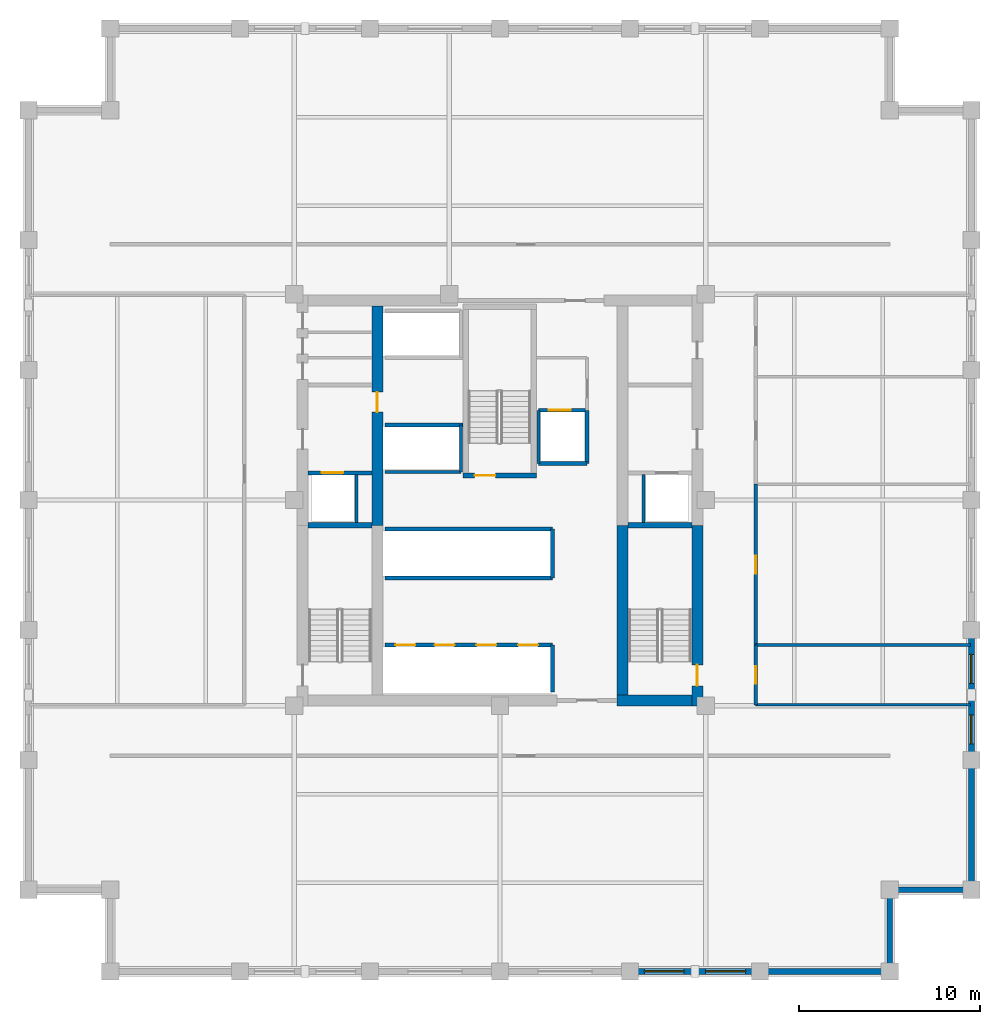
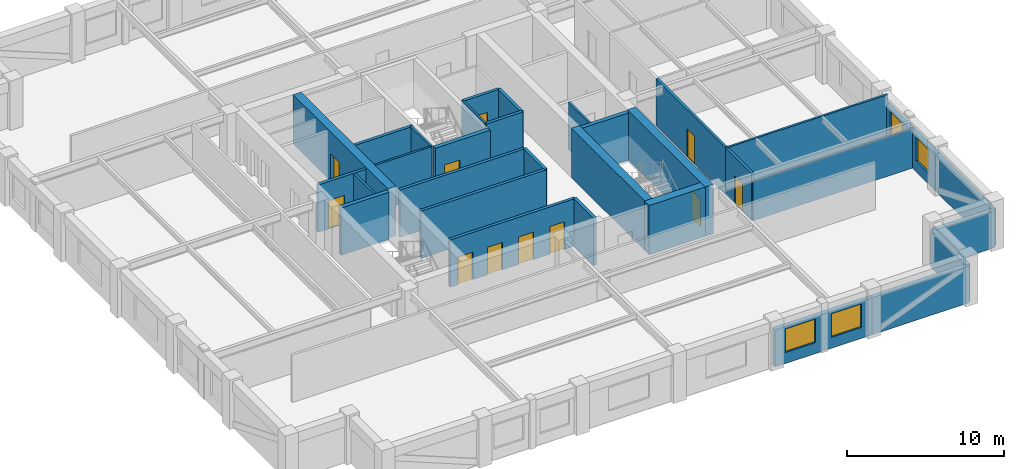
# One storey, part 3 of 6: 32 walls, 11 doors, 4 windows, 15 openings.
"""IFC4 building model written with IfcOpenShell, lengths in metres."""

from ifc_helpers import new_model, si_unit, direction, frame, frame_2d, origin, place, context, subcontext, project, spatial, rectangle, extrude, material, layer, layer_set, type_object, element, fill, save


model = new_model("IFC4")

# Units and contexts
model_context = context("Model", 3, precision=1e-05, world=origin(), true_north=direction((0.0, 1.0)))
body_context = subcontext(model_context, "Body", "Model", "MODEL_VIEW")
ifc_project = project(units=[si_unit("LENGTHUNIT", "METRE"), si_unit("AREAUNIT", "SQUARE_METRE"), si_unit("VOLUMEUNIT", "CUBIC_METRE"), si_unit("PLANEANGLEUNIT", "RADIAN"), si_unit("MASSUNIT", "GRAM", prefix="KILO")], contexts=[model_context])

# Site, building, storey
site_placement = place(None, origin())
site = spatial("IfcSite", under=ifc_project, at=site_placement, CompositionType="ELEMENT")
building_placement = place(site_placement, origin())
building = spatial("IfcBuilding", under=site, at=building_placement, Name="Nhamokura Convention Tower", CompositionType="ELEMENT")
storey_placement = place(building_placement, frame((0.0, 0.0, 145.25)))
storey = spatial("IfcBuildingStorey", under=building, at=storey_placement, Name="L35", CompositionType="ELEMENT", Elevation=145.25)

# Wall, openings, windows
ifc_material_1 = material(Name="Bronze-pigmented precast concrete C45/55", Category="concrete")
ifc_layer_1 = layer(ifc_material_1, 0.320068359375)
ifc_layer_set_1 = layer_set([ifc_layer_1], Name="BronzePrecastSpandrel_320")
wall_type_1 = type_object("IfcWallType", Name="BronzePrecastSpandrel_320", PredefinedType="USERDEFINED", material=ifc_layer_set_1)
wall_1_placement = place(storey_placement, frame((46.333251953125, 6.0, 0.0), z_axis=(0.0, 0.0, 1.0), x_axis=(-1.0, 0.0, 0.0)))
wall_1 = element("IfcWall", 1, at=wall_1_placement, inside=storey, type_object=wall_type_1, Name="L35 Masonry-Frame Wall SOUTH 4", ObjectType="SPANDREL_WALL", PredefinedType="USERDEFINED", context=body_context, shape_type="SweptSolid", body=[
    extrude(rectangle(XDim=7.16650390625, YDim=0.320068359375, at=frame_2d((3.583251953125, 0.0))), origin(), (0.0, 0.0, 1.0), 2.885009765625),
])
opening_1_placement = place(wall_1_placement, frame((0.791748046875, 0.0, 0.85009765625)))
opening_1 = element("IfcOpeningElement", 2, at=opening_1_placement, cuts=wall_1, Name="Opening W-06", PredefinedType="OPENING", context=body_context, shape_type="SweptSolid", body=[
    extrude(rectangle(XDim=2.199951171875, YDim=1.8349609375, at=frame_2d((1.10009765625, 0.91748046875))), frame((0.0, 0.169921875, 0.0), z_axis=(0.0, -1.0, 0.0), x_axis=(1.0, 0.0, 0.0)), (0.0, 0.0, 1.0), 0.340087890625),
])
opening_2_placement = place(wall_1_placement, frame((4.175048828125, 0.0, 0.85009765625)))
opening_2 = element("IfcOpeningElement", 3, at=opening_2_placement, cuts=wall_1, Name="Opening W-06", PredefinedType="OPENING", context=body_context, shape_type="SweptSolid", body=[
    extrude(rectangle(XDim=2.199951171875, YDim=1.8349609375, at=frame_2d((1.10009765625, 0.91748046875))), frame((0.0, 0.169921875, 0.0), z_axis=(0.0, -1.0, 0.0), x_axis=(1.0, 0.0, 0.0)), (0.0, 0.0, 1.0), 0.340087890625),
])
ifc_material_2 = material(Name="Solar-control bronze low-E double glass", Category="glass")
window_type_1 = type_object("IfcWindowType", Name="OfficeModuleWindow_Z2_2200", PartitioningType="SINGLE_PANEL", PredefinedType="WINDOW", material=ifc_material_2)
window_1_placement = place(opening_1_placement, origin())
window_1 = element("IfcWindow", 4, at=window_1_placement, inside=storey, type_object=window_type_1, Name="L35 Facade Window SOUTH 4-1", OverallHeight=1.8349609375, OverallWidth=2.199951171875, PartitioningType="SINGLE_PANEL", PredefinedType="WINDOW", context=body_context, shape_type="SweptSolid", body=[
    extrude(rectangle(XDim=2.199951171875, YDim=1.8349609375, at=frame_2d((1.10009765625, 0.91748046875))), frame((0.0, 0.030029296875, 0.0), z_axis=(0.0, -1.0, 0.0), x_axis=(1.0, 0.0, 0.0)), (0.0, 0.0, 1.0), 0.06005859375),
])
fill(opening_1, window_1)
window_2_placement = place(opening_2_placement, origin())
window_2 = element("IfcWindow", 5, at=window_2_placement, inside=storey, type_object=window_type_1, Name="L35 Facade Window SOUTH 4-2", OverallHeight=1.8349609375, OverallWidth=2.199951171875, PartitioningType="SINGLE_PANEL", PredefinedType="WINDOW", context=body_context, shape_type="SweptSolid", body=[
    extrude(rectangle(XDim=2.199951171875, YDim=1.8349609375, at=frame_2d((1.10009765625, 0.91748046875))), frame((0.0, 0.030029296875, 0.0), z_axis=(0.0, -1.0, 0.0), x_axis=(1.0, 0.0, 0.0)), (0.0, 0.0, 1.0), 0.06005859375),
])
fill(opening_2, window_2)

# Walls
for number, where, z_axis, x_axis, name in (
    (6, (53.5, 6.0, 0.0), (0.0, 0.0, 1.0), (-1.0, 0.0, 0.0), "L35 Braced-Bay Precast Wall SOUTH 5"),
    (7, (58.0, 17.666748046875, 0.0), (0.0, 0.0, 1.0), (0.0, -1.0, 0.0), "L35 Braced-Bay Precast Wall EAST 0"),
):
    element("IfcWall", number, at=place(storey_placement, frame(where, z_axis=z_axis, x_axis=x_axis)), inside=storey, type_object=wall_type_1, Name=name, ObjectType="SPANDREL_WALL", PredefinedType="USERDEFINED", context=body_context, shape_type="SweptSolid", body=[
        extrude(rectangle(XDim=7.166748046875, YDim=0.320068359375, at=frame_2d((3.58349609375, 0.0))), origin(), (0.0, 0.0, 1.0), 2.885009765625),
    ])

# Wall, openings, windows
wall_2_placement = place(storey_placement, frame((58.0, 24.833251953125, 0.0), z_axis=(0.0, 0.0, 1.0), x_axis=(0.0, -1.0, 0.0)))
wall_2 = element("IfcWall", 8, at=wall_2_placement, inside=storey, type_object=wall_type_1, Name="L35 Masonry-Frame Wall EAST 1", ObjectType="SPANDREL_WALL", PredefinedType="USERDEFINED", context=body_context, shape_type="SweptSolid", body=[
    extrude(rectangle(XDim=7.16650390625, YDim=0.320068359375, at=frame_2d((3.583251953125, 0.0))), origin(), (0.0, 0.0, 1.0), 2.885009765625),
])
opening_3_placement = place(wall_2_placement, frame((1.341796875, 0.0, 0.85009765625)))
opening_3 = element("IfcOpeningElement", 9, at=opening_3_placement, cuts=wall_2, Name="Opening W-11", PredefinedType="OPENING", context=body_context, shape_type="SweptSolid", body=[
    extrude(rectangle(XDim=1.60009765625, YDim=1.8349609375, at=frame_2d((0.800048828125, 0.91748046875))), frame((0.0, 0.169921875, 0.0), z_axis=(0.0, -1.0, 0.0), x_axis=(1.0, 0.0, 0.0)), (0.0, 0.0, 1.0), 0.340087890625),
])
opening_4_placement = place(wall_2_placement, frame((4.6875, 0.0, 0.85009765625)))
opening_4 = element("IfcOpeningElement", 10, at=opening_4_placement, cuts=wall_2, Name="Opening W-11", PredefinedType="OPENING", context=body_context, shape_type="SweptSolid", body=[
    extrude(rectangle(XDim=1.60009765625, YDim=1.8349609375, at=frame_2d((0.800048828125, 0.91748046875))), frame((0.0, 0.169921875, 0.0), z_axis=(0.0, -1.0, 0.0), x_axis=(1.0, 0.0, 0.0)), (0.0, 0.0, 1.0), 0.340087890625),
])
ifc_material_3 = material(Name="Solar-control bronze low-E double glass", Category="glass")
window_type_2 = type_object("IfcWindowType", Name="NotchCornerWindow_1600", PartitioningType="SINGLE_PANEL", PredefinedType="WINDOW", material=ifc_material_3)
window_3_placement = place(opening_3_placement, origin())
window_3 = element("IfcWindow", 11, at=window_3_placement, inside=storey, type_object=window_type_2, Name="L35 Facade Window EAST 1-1", OverallHeight=1.8349609375, OverallWidth=1.60009765625, PartitioningType="SINGLE_PANEL", PredefinedType="WINDOW", context=body_context, shape_type="SweptSolid", body=[
    extrude(rectangle(XDim=1.60009765625, YDim=1.8349609375, at=frame_2d((0.800048828125, 0.91748046875))), frame((0.0, 0.030029296875, 0.0), z_axis=(0.0, -1.0, 0.0), x_axis=(1.0, 0.0, 0.0)), (0.0, 0.0, 1.0), 0.06005859375),
])
fill(opening_3, window_3)
window_4_placement = place(opening_4_placement, origin())
window_4 = element("IfcWindow", 12, at=window_4_placement, inside=storey, type_object=window_type_2, Name="L35 Facade Window EAST 1-2", OverallHeight=1.8349609375, OverallWidth=1.60009765625, PartitioningType="SINGLE_PANEL", PredefinedType="WINDOW", context=body_context, shape_type="SweptSolid", body=[
    extrude(rectangle(XDim=1.60009765625, YDim=1.8349609375, at=frame_2d((0.800048828125, 0.91748046875))), frame((0.0, 0.030029296875, 0.0), z_axis=(0.0, -1.0, 0.0), x_axis=(1.0, 0.0, 0.0)), (0.0, 0.0, 1.0), 0.06005859375),
])
fill(opening_4, window_4)

# Walls
for number, where, z_axis, x_axis, name in (
    (13, (53.5, 10.5, 0.0), (0.0, 0.0, 1.0), (0.0, -1.0, 0.0), "L35 Notched Corner Wall SE1"),
    (14, (58.0, 10.5, 0.0), (0.0, 0.0, 1.0), (-1.0, 0.0, 0.0), "L35 Notched Corner Wall SE2"),
):
    element("IfcWall", number, at=place(storey_placement, frame(where, z_axis=z_axis, x_axis=x_axis)), inside=storey, type_object=wall_type_1, Name=name, ObjectType="SPANDREL_WALL", PredefinedType="USERDEFINED", context=body_context, shape_type="SweptSolid", body=[
        extrude(rectangle(XDim=4.5, YDim=0.320068359375, at=frame_2d((2.25, 0.0))), origin(), (0.0, 0.0, 1.0), 2.885009765625),
    ])

# Wall, opening, door
ifc_material_4 = material(Name="Concrete C60/75", Category="concrete")
ifc_layer_2 = layer(ifc_material_4, 0.60009765625)
ifc_layer_set_2 = layer_set([ifc_layer_2], Name="CoreShearWall_600")
wall_type_2 = type_object("IfcWallType", Name="CoreShearWall_600", PredefinedType="SHEAR", material=ifc_layer_set_2)
wall_3_placement = place(storey_placement, frame((42.889892578125, 20.64990234375, 0.0), z_axis=(0.0, 0.0, 1.0), x_axis=(0.0, 1.0, 0.0)))
wall_3 = element("IfcWall", 15, at=wall_3_placement, inside=storey, type_object=wall_type_2, Name="L35 Core Shear Wall CW-ES", PredefinedType="SHEAR", context=body_context, shape_type="SweptSolid", body=[
    extrude(rectangle(XDim=9.9501953125, YDim=0.60009765625, at=frame_2d((4.97509765625, 0.0))), origin(), (0.0, 0.0, 1.0), 3.85009765625),
])
opening_5_placement = place(wall_3_placement, frame((1.10009765625, 0.0, 0.0)))
opening_5 = element("IfcOpeningElement", 16, at=opening_5_placement, cuts=wall_3, Name="Opening D-04", PredefinedType="OPENING", context=body_context, shape_type="SweptSolid", body=[
    extrude(rectangle(XDim=1.14990234375, YDim=2.14990234375, at=frame_2d((0.574951171875, 1.074951171875))), frame((0.0, 0.31005859375, 0.0), z_axis=(0.0, -1.0, 0.0), x_axis=(1.0, 0.0, 0.0)), (0.0, 0.0, 1.0), 0.6201171875),
])
ifc_material_5 = material(Name="Fire-rated steel door", Category="steel")
door_type_1 = type_object("IfcDoorType", Name="StairSmokeDoor_1150", OperationType="NOTDEFINED", PredefinedType="DOOR", material=ifc_material_5)
door_1_placement = place(opening_5_placement, origin())
door_1 = element("IfcDoor", 17, at=door_1_placement, inside=storey, type_object=door_type_1, Name="L35 Core Door INT-L35-D-ST02", OperationType="SINGLE_SWING_RIGHT", OverallHeight=2.14990234375, OverallWidth=1.14990234375, PredefinedType="DOOR", context=body_context, shape_type="SweptSolid", body=[
    extrude(rectangle(XDim=1.14990234375, YDim=2.14990234375, at=frame_2d((0.574951171875, 1.074951171875))), frame((0.0, 0.02490234375, 0.0), z_axis=(0.0, -1.0, 0.0), x_axis=(1.0, 0.0, 0.0)), (0.0, 0.0, 1.0), 0.050048828125),
])
fill(opening_5, door_1)

# Wall
wall_4_placement = place(storey_placement, frame((38.449951171875, 20.949951171875, 0.0), z_axis=(0.0, 0.0, 1.0), x_axis=(1.0, 0.0, 0.0)))
element("IfcWall", 18, at=wall_4_placement, inside=storey, type_object=wall_type_2, Name="L35 Core Shear Wall CW-S2", PredefinedType="SHEAR", context=body_context, shape_type="SweptSolid", body=[
    extrude(rectangle(XDim=4.14013671875, YDim=0.60009765625, at=frame_2d((2.070068359375, 0.0))), origin(), (0.0, 0.0, 1.0), 3.85009765625),
])

# Wall, opening, door
wall_5_placement = place(storey_placement, frame((25.239990234375, 30.60009765625, 0.0), z_axis=(0.0, 0.0, 1.0), x_axis=(0.0, 1.0, 0.0)))
wall_5 = element("IfcWall", 19, at=wall_5_placement, inside=storey, type_object=wall_type_2, Name="L35 Core Shear Wall CW-IWN", PredefinedType="SHEAR", context=body_context, shape_type="SweptSolid", body=[
    extrude(rectangle(XDim=12.099853515625, YDim=0.60009765625, at=frame_2d((6.0498046875, 0.0))), origin(), (0.0, 0.0, 1.0), 3.85009765625),
])
opening_6_placement = place(wall_5_placement, frame((6.25, 0.0, 0.0)))
opening_6 = element("IfcOpeningElement", 20, at=opening_6_placement, cuts=wall_5, Name="Opening D-05", PredefinedType="OPENING", context=body_context, shape_type="SweptSolid", body=[
    extrude(rectangle(XDim=1.10009765625, YDim=2.14990234375, at=frame_2d((0.550048828125, 1.074951171875))), frame((0.0, 0.31005859375, 0.0), z_axis=(0.0, -1.0, 0.0), x_axis=(1.0, 0.0, 0.0)), (0.0, 0.0, 1.0), 0.6201171875),
])
ifc_material_6 = material(Name="Fire-rated steel door", Category="steel")
door_type_2 = type_object("IfcDoorType", Name="FireLobbyDoor_1100", OperationType="NOTDEFINED", PredefinedType="DOOR", material=ifc_material_6)
door_2_placement = place(opening_6_placement, origin())
door_2 = element("IfcDoor", 21, at=door_2_placement, inside=storey, type_object=door_type_2, Name="L35 Core Door INT-L35-D-B3LOB", OperationType="SINGLE_SWING_LEFT", OverallHeight=2.14990234375, OverallWidth=1.10009765625, PredefinedType="DOOR", context=body_context, shape_type="SweptSolid", body=[
    extrude(rectangle(XDim=1.10009765625, YDim=2.14990234375, at=frame_2d((0.550048828125, 1.074951171875))), frame((0.0, 0.02490234375, 0.0), z_axis=(0.0, -1.0, 0.0), x_axis=(1.0, 0.0, 0.0)), (0.0, 0.0, 1.0), 0.050048828125),
])
fill(opening_6, door_2)

# Wall
wall_6_placement = place(storey_placement, frame((38.760009765625, 21.25, 0.0), z_axis=(0.0, 0.0, 1.0), x_axis=(0.0, 1.0, 0.0)))
element("IfcWall", 22, at=wall_6_placement, inside=storey, type_object=wall_type_2, Name="L35 Core Shear Wall CW-IES", PredefinedType="SHEAR", context=body_context, shape_type="SweptSolid", body=[
    extrude(rectangle(XDim=9.35009765625, YDim=0.60009765625, at=frame_2d((4.675048828125, 0.0))), origin(), (0.0, 0.0, 1.0), 3.85009765625),
])

# Wall, opening, door
ifc_material_7 = material(Name="Fire-rated gypsum and masonry partition", Category="masonry")
ifc_layer_3 = layer(ifc_material_7, 0.179931640625)
ifc_layer_set_3 = layer_set([ifc_layer_3], Name="CorridorRatedWall_180")
wall_type_3 = type_object("IfcWallType", Name="CorridorRatedWall_180", PredefinedType="STANDARD", material=ifc_layer_set_3)
wall_7_placement = place(storey_placement, frame((46.10009765625, 20.699951171875, 0.0), z_axis=(0.0, 0.0, 1.0), x_axis=(0.0, 1.0, 0.0)))
wall_7 = element("IfcWall", 23, at=wall_7_placement, inside=storey, type_object=wall_type_3, Name="L35 Wall INT-L35-CW-E00", PredefinedType="STANDARD", context=body_context, shape_type="SweptSolid", body=[
    extrude(rectangle(XDim=3.308349609375, YDim=0.179931640625, at=frame_2d((1.654296875, 0.0))), origin(), (0.0, 0.0, 1.0), 3.68505859375),
])
opening_7_placement = place(wall_7_placement, frame((1.154052734375, 0.0, 0.0)))
opening_7 = element("IfcOpeningElement", 24, at=opening_7_placement, cuts=wall_7, Name="Opening D-08", PredefinedType="OPENING", context=body_context, shape_type="SweptSolid", body=[
    extrude(rectangle(XDim=0.97998046875, YDim=2.199951171875, at=frame_2d((0.489990234375, 1.10009765625))), frame((0.0, 0.099853515625, 0.0), z_axis=(0.0, -1.0, 0.0), x_axis=(1.0, 0.0, 0.0)), (0.0, 0.0, 1.0), 0.199951171875),
])
ifc_material_8 = material(Name="Solid oak hardwood", Category="wood")
door_type_3 = type_object("IfcDoorType", Name="OfficeEntryDoor_980", OperationType="NOTDEFINED", PredefinedType="DOOR", material=ifc_material_8)
door_3_placement = place(opening_7_placement, origin())
door_3 = element("IfcDoor", 25, at=door_3_placement, inside=storey, type_object=door_type_3, Name="L35 Private Office E01 Door", OperationType="SINGLE_SWING_LEFT", OverallHeight=2.199951171875, OverallWidth=0.97998046875, PredefinedType="DOOR", context=body_context, shape_type="SweptSolid", body=[
    extrude(rectangle(XDim=0.97998046875, YDim=2.199951171875, at=frame_2d((0.489990234375, 1.10009765625))), frame((0.0, 0.02490234375, 0.0), z_axis=(0.0, -1.0, 0.0), x_axis=(1.0, 0.0, 0.0)), (0.0, 0.0, 1.0), 0.050048828125),
])
fill(opening_7, door_3)

wall_8_placement = place(storey_placement, frame((46.10009765625, 24.00830078125, 0.0), z_axis=(0.0, 0.0, 1.0), x_axis=(0.0, 1.0, 0.0)))
wall_8 = element("IfcWall", 26, at=wall_8_placement, inside=storey, type_object=wall_type_3, Name="L35 Wall INT-L35-CW-E01", PredefinedType="STANDARD", context=body_context, shape_type="SweptSolid", body=[
    extrude(rectangle(XDim=8.86669921875, YDim=0.179931640625, at=frame_2d((4.433349609375, 0.0))), origin(), (0.0, 0.0, 1.0), 3.68505859375),
])
opening_8_placement = place(wall_8_placement, frame((3.933349609375, 0.0, 0.0)))
opening_8 = element("IfcOpeningElement", 27, at=opening_8_placement, cuts=wall_8, Name="Opening D-08", PredefinedType="OPENING", context=body_context, shape_type="SweptSolid", body=[
    extrude(rectangle(XDim=0.97998046875, YDim=2.199951171875, at=frame_2d((0.489990234375, 1.10009765625))), frame((0.0, 0.099853515625, 0.0), z_axis=(0.0, -1.0, 0.0), x_axis=(1.0, 0.0, 0.0)), (0.0, 0.0, 1.0), 0.199951171875),
])
door_4_placement = place(opening_8_placement, origin())
door_4 = element("IfcDoor", 28, at=door_4_placement, inside=storey, type_object=door_type_3, Name="L35 Private Office E02 Door", OperationType="SINGLE_SWING_RIGHT", OverallHeight=2.199951171875, OverallWidth=0.97998046875, PredefinedType="DOOR", context=body_context, shape_type="SweptSolid", body=[
    extrude(rectangle(XDim=0.97998046875, YDim=2.199951171875, at=frame_2d((0.489990234375, 1.10009765625))), frame((0.0, 0.02490234375, 0.0), z_axis=(0.0, -1.0, 0.0), x_axis=(1.0, 0.0, 0.0)), (0.0, 0.0, 1.0), 0.050048828125),
])
fill(opening_8, door_4)

ifc_material_9 = material(Name="Autoclaved concrete blockwork", Category="masonry")
ifc_layer_4 = layer(ifc_material_9, 0.219970703125)
ifc_layer_set_4 = layer_set([ifc_layer_4], Name="FireLobbyWall_220")
wall_type_4 = type_object("IfcWallType", Name="FireLobbyWall_220", PredefinedType="STANDARD", material=ifc_layer_set_4)
wall_9_placement = place(storey_placement, frame((21.409912109375, 33.5, 0.0), z_axis=(0.0, 0.0, 1.0), x_axis=(1.0, 0.0, 0.0)))
wall_9 = element("IfcWall", 29, at=wall_9_placement, inside=storey, type_object=wall_type_4, Name="L35 Wall INT-L35-FFW-S", PredefinedType="STANDARD", context=body_context, shape_type="SweptSolid", body=[
    extrude(rectangle(XDim=3.530029296875, YDim=0.219970703125, at=frame_2d((1.76513671875, 0.0))), origin(), (0.0, 0.0, 1.0), 3.68505859375),
])
opening_9_placement = place(wall_9_placement, frame((0.75, 0.0, 0.0)))
opening_9 = element("IfcOpeningElement", 30, at=opening_9_placement, cuts=wall_9, Name="Opening LD-02", PredefinedType="OPENING", context=body_context, shape_type="SweptSolid", body=[
    extrude(rectangle(XDim=1.199951171875, YDim=2.199951171875, at=frame_2d((0.60009765625, 1.10009765625))), frame((0.0, 0.119873046875, 0.0), z_axis=(0.0, -1.0, 0.0), x_axis=(1.0, 0.0, 0.0)), (0.0, 0.0, 1.0), 0.239990234375),
])
ifc_material_10 = material(Name="Anodised bronze stainless steel", Category="steel")
door_type_4 = type_object("IfcDoorType", Name="LiftLandingDoor_FireService", OperationType="DOUBLE_DOOR_SLIDING", PredefinedType="DOOR", material=ifc_material_10)
door_5_placement = place(opening_9_placement, origin())
door_5 = element("IfcDoor", 31, at=door_5_placement, inside=storey, type_object=door_type_4, Name="L35 Firefighting Lift LF-01 Door", OperationType="DOUBLE_DOOR_SLIDING", OverallHeight=2.199951171875, OverallWidth=1.199951171875, PredefinedType="DOOR", context=body_context, shape_type="SweptSolid", body=[
    extrude(rectangle(XDim=1.199951171875, YDim=2.199951171875, at=frame_2d((0.60009765625, 1.10009765625))), frame((0.0, 0.02490234375, 0.0), z_axis=(0.0, -1.0, 0.0), x_axis=(1.0, 0.0, 0.0)), (0.0, 0.0, 1.0), 0.050048828125),
])
fill(opening_9, door_5)

# Wall, openings, doors
wall_10_placement = place(storey_placement, frame((25.64990234375, 24.0, 0.0), z_axis=(0.0, 0.0, 1.0), x_axis=(1.0, 0.0, 0.0)))
wall_10 = element("IfcWall", 32, at=wall_10_placement, inside=storey, type_object=wall_type_4, Name="L35 Wall INT-L35-B1N", PredefinedType="STANDARD", context=body_context, shape_type="SweptSolid", body=[
    extrude(rectangle(XDim=9.25, YDim=0.219970703125, at=frame_2d((4.625, 0.0))), origin(), (0.0, 0.0, 1.0), 3.68505859375),
])
opening_10_placement = place(wall_10_placement, frame((0.580078125, 0.0, 0.0)))
opening_10 = element("IfcOpeningElement", 33, at=opening_10_placement, cuts=wall_10, Name="Opening LD-01", PredefinedType="OPENING", context=body_context, shape_type="SweptSolid", body=[
    extrude(rectangle(XDim=1.10009765625, YDim=2.14990234375, at=frame_2d((0.550048828125, 1.074951171875))), frame((0.0, 0.119873046875, 0.0), z_axis=(0.0, -1.0, 0.0), x_axis=(1.0, 0.0, 0.0)), (0.0, 0.0, 1.0), 0.239990234375),
])
opening_11_placement = place(wall_10_placement, frame((2.75, 0.0, 0.0)))
opening_11 = element("IfcOpeningElement", 34, at=opening_11_placement, cuts=wall_10, Name="Opening LD-01", PredefinedType="OPENING", context=body_context, shape_type="SweptSolid", body=[
    extrude(rectangle(XDim=1.10009765625, YDim=2.14990234375, at=frame_2d((0.550048828125, 1.074951171875))), frame((0.0, 0.119873046875, 0.0), z_axis=(0.0, -1.0, 0.0), x_axis=(1.0, 0.0, 0.0)), (0.0, 0.0, 1.0), 0.239990234375),
])
opening_12_placement = place(wall_10_placement, frame((5.050048828125, 0.0, 0.0)))
opening_12 = element("IfcOpeningElement", 35, at=opening_12_placement, cuts=wall_10, Name="Opening LD-01", PredefinedType="OPENING", context=body_context, shape_type="SweptSolid", body=[
    extrude(rectangle(XDim=1.10009765625, YDim=2.14990234375, at=frame_2d((0.550048828125, 1.074951171875))), frame((0.0, 0.119873046875, 0.0), z_axis=(0.0, -1.0, 0.0), x_axis=(1.0, 0.0, 0.0)), (0.0, 0.0, 1.0), 0.239990234375),
])
opening_13_placement = place(wall_10_placement, frame((7.35009765625, 0.0, 0.0)))
opening_13 = element("IfcOpeningElement", 36, at=opening_13_placement, cuts=wall_10, Name="Opening LD-01", PredefinedType="OPENING", context=body_context, shape_type="SweptSolid", body=[
    extrude(rectangle(XDim=1.10009765625, YDim=2.14990234375, at=frame_2d((0.550048828125, 1.074951171875))), frame((0.0, 0.119873046875, 0.0), z_axis=(0.0, -1.0, 0.0), x_axis=(1.0, 0.0, 0.0)), (0.0, 0.0, 1.0), 0.239990234375),
])
ifc_material_11 = material(Name="Anodised bronze stainless steel", Category="steel")
door_type_5 = type_object("IfcDoorType", Name="LiftLandingDoor_Passenger", OperationType="DOUBLE_DOOR_SLIDING", PredefinedType="DOOR", material=ifc_material_11)
door_6_placement = place(opening_10_placement, origin())
door_6 = element("IfcDoor", 37, at=door_6_placement, inside=storey, type_object=door_type_5, Name="L35 Lift LP-01 Landing Door", OperationType="DOUBLE_DOOR_SLIDING", OverallHeight=2.14990234375, OverallWidth=1.10009765625, PredefinedType="DOOR", context=body_context, shape_type="SweptSolid", body=[
    extrude(rectangle(XDim=1.10009765625, YDim=2.14990234375, at=frame_2d((0.550048828125, 1.074951171875))), frame((0.0, 0.02490234375, 0.0), z_axis=(0.0, -1.0, 0.0), x_axis=(1.0, 0.0, 0.0)), (0.0, 0.0, 1.0), 0.050048828125),
])
fill(opening_10, door_6)
door_7_placement = place(opening_11_placement, origin())
door_7 = element("IfcDoor", 38, at=door_7_placement, inside=storey, type_object=door_type_5, Name="L35 Lift LP-02 Landing Door", OperationType="DOUBLE_DOOR_SLIDING", OverallHeight=2.14990234375, OverallWidth=1.10009765625, PredefinedType="DOOR", context=body_context, shape_type="SweptSolid", body=[
    extrude(rectangle(XDim=1.10009765625, YDim=2.14990234375, at=frame_2d((0.550048828125, 1.074951171875))), frame((0.0, 0.02490234375, 0.0), z_axis=(0.0, -1.0, 0.0), x_axis=(1.0, 0.0, 0.0)), (0.0, 0.0, 1.0), 0.050048828125),
])
fill(opening_11, door_7)
door_8_placement = place(opening_12_placement, origin())
door_8 = element("IfcDoor", 39, at=door_8_placement, inside=storey, type_object=door_type_5, Name="L35 Lift LP-03 Landing Door", OperationType="DOUBLE_DOOR_SLIDING", OverallHeight=2.14990234375, OverallWidth=1.10009765625, PredefinedType="DOOR", context=body_context, shape_type="SweptSolid", body=[
    extrude(rectangle(XDim=1.10009765625, YDim=2.14990234375, at=frame_2d((0.550048828125, 1.074951171875))), frame((0.0, 0.02490234375, 0.0), z_axis=(0.0, -1.0, 0.0), x_axis=(1.0, 0.0, 0.0)), (0.0, 0.0, 1.0), 0.050048828125),
])
fill(opening_12, door_8)
door_9_placement = place(opening_13_placement, origin())
door_9 = element("IfcDoor", 40, at=door_9_placement, inside=storey, type_object=door_type_5, Name="L35 Lift LP-04 Landing Door", OperationType="DOUBLE_DOOR_SLIDING", OverallHeight=2.14990234375, OverallWidth=1.10009765625, PredefinedType="DOOR", context=body_context, shape_type="SweptSolid", body=[
    extrude(rectangle(XDim=1.10009765625, YDim=2.14990234375, at=frame_2d((0.550048828125, 1.074951171875))), frame((0.0, 0.02490234375, 0.0), z_axis=(0.0, -1.0, 0.0), x_axis=(1.0, 0.0, 0.0)), (0.0, 0.0, 1.0), 0.050048828125),
])
fill(opening_13, door_9)

# Walls
wall_11_placement = place(storey_placement, frame((34.89990234375, 21.39990234375, 0.0), z_axis=(0.0, 0.0, 1.0), x_axis=(0.0, 1.0, 0.0)))
element("IfcWall", 41, at=wall_11_placement, inside=storey, type_object=wall_type_4, Name="L35 Wall INT-L35-B1E", PredefinedType="STANDARD", context=body_context, shape_type="SweptSolid", body=[
    extrude(rectangle(XDim=2.60009765625, YDim=0.219970703125, at=frame_2d((1.300048828125, 0.0))), origin(), (0.0, 0.0, 1.0), 3.68505859375),
])
for number, where, z_axis, x_axis, name in (
    (42, (25.64990234375, 27.699951171875, 0.0), (0.0, 0.0, 1.0), (1.0, 0.0, 0.0), "L35 Wall INT-L35-B2S"),
    (43, (25.64990234375, 30.39990234375, 0.0), (0.0, 0.0, 1.0), (1.0, 0.0, 0.0), "L35 Wall INT-L35-B2N"),
):
    element("IfcWall", number, at=place(storey_placement, frame(where, z_axis=z_axis, x_axis=x_axis)), inside=storey, type_object=wall_type_4, Name=name, PredefinedType="STANDARD", context=body_context, shape_type="SweptSolid", body=[
        extrude(rectangle(XDim=9.25, YDim=0.219970703125, at=frame_2d((4.625, 0.0))), origin(), (0.0, 0.0, 1.0), 3.68505859375),
    ])
wall_12_placement = place(storey_placement, frame((34.89990234375, 27.699951171875, 0.0), z_axis=(0.0, 0.0, 1.0), x_axis=(0.0, 1.0, 0.0)))
element("IfcWall", 44, at=wall_12_placement, inside=storey, type_object=wall_type_4, Name="L35 Wall INT-L35-B2E", PredefinedType="STANDARD", context=body_context, shape_type="SweptSolid", body=[
    extrude(rectangle(XDim=2.699951171875, YDim=0.219970703125, at=frame_2d((1.35009765625, 0.0))), origin(), (0.0, 0.0, 1.0), 3.68505859375),
])
wall_13_placement = place(storey_placement, frame((25.64990234375, 36.14990234375, 0.0), z_axis=(0.0, 0.0, 1.0), x_axis=(1.0, 0.0, 0.0)))
element("IfcWall", 45, at=wall_13_placement, inside=storey, type_object=wall_type_4, Name="L35 Wall INT-L35-B3S", PredefinedType="STANDARD", context=body_context, shape_type="SweptSolid", body=[
    extrude(rectangle(XDim=4.300048828125, YDim=0.219970703125, at=frame_2d((2.14990234375, 0.0))), origin(), (0.0, 0.0, 1.0), 3.68505859375),
])

# Wall, opening, door
wall_14_placement = place(storey_placement, frame((34.1201171875, 36.949951171875, 0.0), z_axis=(0.0, 0.0, 1.0), x_axis=(1.0, 0.0, 0.0)))
wall_14 = element("IfcWall", 46, at=wall_14_placement, inside=storey, type_object=wall_type_4, Name="L35 Wall INT-L35-LSN", PredefinedType="STANDARD", context=body_context, shape_type="SweptSolid", body=[
    extrude(rectangle(XDim=2.679931640625, YDim=0.219970703125, at=frame_2d((1.33984375, 0.0))), origin(), (0.0, 0.0, 1.0), 3.68505859375),
])
opening_14_placement = place(wall_14_placement, frame((0.580078125, 0.0, 0.0)))
opening_14 = element("IfcOpeningElement", 47, at=opening_14_placement, cuts=wall_14, Name="Opening LD-02", PredefinedType="OPENING", context=body_context, shape_type="SweptSolid", body=[
    extrude(rectangle(XDim=1.199951171875, YDim=2.199951171875, at=frame_2d((0.60009765625, 1.10009765625))), frame((0.0, 0.119873046875, 0.0), z_axis=(0.0, -1.0, 0.0), x_axis=(1.0, 0.0, 0.0)), (0.0, 0.0, 1.0), 0.239990234375),
])
door_10_placement = place(opening_14_placement, origin())
door_10 = element("IfcDoor", 48, at=door_10_placement, inside=storey, type_object=door_type_4, Name="L35 Service Lift LS-01 Door", OperationType="DOUBLE_DOOR_SLIDING", OverallHeight=2.199951171875, OverallWidth=1.199951171875, PredefinedType="DOOR", context=body_context, shape_type="SweptSolid", body=[
    extrude(rectangle(XDim=1.199951171875, YDim=2.199951171875, at=frame_2d((0.60009765625, 1.10009765625))), frame((0.0, 0.02490234375, 0.0), z_axis=(0.0, -1.0, 0.0), x_axis=(1.0, 0.0, 0.0)), (0.0, 0.0, 1.0), 0.050048828125),
])
fill(opening_14, door_10)

# Walls
wall_15_placement = place(storey_placement, frame((36.800048828125, 34.02001953125, 0.0), z_axis=(0.0, 0.0, 1.0), x_axis=(0.0, 1.0, 0.0)))
element("IfcWall", 49, at=wall_15_placement, inside=storey, type_object=wall_type_4, Name="L35 Wall INT-L35-LSE", PredefinedType="STANDARD", context=body_context, shape_type="SweptSolid", body=[
    extrude(rectangle(XDim=2.929931640625, YDim=0.219970703125, at=frame_2d((1.46484375, 0.0))), origin(), (0.0, 0.0, 1.0), 3.68505859375),
])
wall_16_placement = place(storey_placement, frame((34.1201171875, 34.02001953125, 0.0), z_axis=(0.0, 0.0, 1.0), x_axis=(1.0, 0.0, 0.0)))
element("IfcWall", 50, at=wall_16_placement, inside=storey, type_object=wall_type_4, Name="L35 Wall INT-L35-LSS", PredefinedType="STANDARD", context=body_context, shape_type="SweptSolid", body=[
    extrude(rectangle(XDim=2.679931640625, YDim=0.219970703125, at=frame_2d((1.33984375, 0.0))), origin(), (0.0, 0.0, 1.0), 3.68505859375),
])
ifc_material_12 = material(Name="Acoustic gypsum stud partition", Category="masonry")
ifc_layer_5 = layer(ifc_material_12, 0.14990234375)
ifc_layer_set_5 = layer_set([ifc_layer_5], Name="InteriorPartition_150")
wall_type_5 = type_object("IfcWallType", Name="InteriorPartition_150", PredefinedType="STANDARD", material=ifc_layer_set_5)
for number, where, z_axis, x_axis, name in (
    (51, (24.080078125, 30.75, 0.0), (0.0, 0.0, 1.0), (0.0, 1.0, 0.0), "L35 Wall INT-L35-FF1-E"),
    (52, (39.919921875, 30.75, 0.0), (0.0, 0.0, 1.0), (0.0, 1.0, 0.0), "L35 Wall INT-L35-FF2-W"),
):
    element("IfcWall", number, at=place(storey_placement, frame(where, z_axis=z_axis, x_axis=x_axis)), inside=storey, type_object=wall_type_5, Name=name, PredefinedType="STANDARD", context=body_context, shape_type="SweptSolid", body=[
        extrude(rectangle(XDim=2.64990234375, YDim=0.14990234375, at=frame_2d((1.324951171875, 0.0))), origin(), (0.0, 0.0, 1.0), 3.68505859375),
    ])
wall_17_placement = place(storey_placement, frame((25.64990234375, 33.550048828125, 0.0), z_axis=(0.0, 0.0, 1.0), x_axis=(1.0, 0.0, 0.0)))
element("IfcWall", 53, at=wall_17_placement, inside=storey, type_object=wall_type_5, Name="L35 Wall INT-L35-B3A-S", PredefinedType="STANDARD", context=body_context, shape_type="SweptSolid", body=[
    extrude(rectangle(XDim=4.2001953125, YDim=0.14990234375, at=frame_2d((2.10009765625, 0.0))), origin(), (0.0, 0.0, 1.0), 3.68505859375),
])
wall_18_placement = place(storey_placement, frame((29.85009765625, 33.550048828125, 0.0), z_axis=(0.0, 0.0, 1.0), x_axis=(0.0, 1.0, 0.0)))
element("IfcWall", 54, at=wall_18_placement, inside=storey, type_object=wall_type_5, Name="L35 Wall INT-L35-B3A-E", PredefinedType="STANDARD", context=body_context, shape_type="SweptSolid", body=[
    extrude(rectangle(XDim=2.599853515625, YDim=0.14990234375, at=frame_2d((1.2998046875, 0.0))), origin(), (0.0, 0.0, 1.0), 3.68505859375),
])
wall_19_placement = place(storey_placement, frame((34.1201171875, 34.02001953125, 0.0), z_axis=(0.0, 0.0, 1.0), x_axis=(0.0, 1.0, 0.0)))
element("IfcWall", 55, at=wall_19_placement, inside=storey, type_object=wall_type_5, Name="L35 Wall INT-L35-LSW", PredefinedType="STANDARD", context=body_context, shape_type="SweptSolid", body=[
    extrude(rectangle(XDim=2.929931640625, YDim=0.14990234375, at=frame_2d((1.46484375, 0.0))), origin(), (0.0, 0.0, 1.0), 3.68505859375),
])
wall_20_placement = place(storey_placement, frame((46.10009765625, 20.699951171875, 0.0), z_axis=(0.0, 0.0, 1.0), x_axis=(1.0, 0.0, 0.0)))
element("IfcWall", 56, at=wall_20_placement, inside=storey, type_object=wall_type_5, Name="L35 Wall INT-L35-RWB-E", PredefinedType="STANDARD", context=body_context, shape_type="SweptSolid", body=[
    extrude(rectangle(XDim=11.83984375, YDim=0.14990234375, at=frame_2d((5.919921875, 0.0))), origin(), (0.0, 0.0, 1.0), 3.055908203125),
])
wall_21_placement = place(storey_placement, frame((46.10009765625, 24.00830078125, 0.0), z_axis=(0.0, 0.0, 1.0), x_axis=(1.0, 0.0, 0.0)))
element("IfcWall", 57, at=wall_21_placement, inside=storey, type_object=wall_type_5, Name="L35 Wall INT-L35-RW-E01", PredefinedType="STANDARD", context=body_context, shape_type="SweptSolid", body=[
    extrude(rectangle(XDim=11.83984375, YDim=0.14990234375, at=frame_2d((5.919921875, 0.0))), origin(), (0.0, 0.0, 1.0), 3.68505859375),
])
ifc_material_13 = material(Name="Concrete C50/60", Category="concrete")
ifc_layer_6 = layer(ifc_material_13, 0.300048828125)
ifc_layer_set_6 = layer_set([ifc_layer_6], Name="ShaftEnclosureWall_300")
wall_type_6 = type_object("IfcWallType", Name="ShaftEnclosureWall_300", PredefinedType="SHEAR", material=ifc_layer_set_6)
for number, where, z_axis, x_axis, name in (
    (58, (21.409912109375, 30.60009765625, 0.0), (0.0, 0.0, 1.0), (1.0, 0.0, 0.0), "L35 Wall INT-L35-ST01-N"),
    (59, (39.06005859375, 30.60009765625, 0.0), (0.0, 0.0, 1.0), (1.0, 0.0, 0.0), "L35 Wall INT-L35-ST02-N"),
):
    element("IfcWall", number, at=place(storey_placement, frame(where, z_axis=z_axis, x_axis=x_axis)), inside=storey, type_object=wall_type_6, Name=name, PredefinedType="SHEAR", context=body_context, shape_type="SweptSolid", body=[
        extrude(rectangle(XDim=3.530029296875, YDim=0.300048828125, at=frame_2d((1.76513671875, 0.0))), origin(), (0.0, 0.0, 1.0), 3.68505859375),
    ])

# Wall, opening, door
wall_22_placement = place(storey_placement, frame((29.949951171875, 33.35009765625, 0.0), z_axis=(0.0, 0.0, 1.0), x_axis=(1.0, 0.0, 0.0)))
wall_22 = element("IfcWall", 60, at=wall_22_placement, inside=storey, type_object=wall_type_6, Name="L35 Wall INT-L35-ST03S", PredefinedType="SHEAR", context=body_context, shape_type="SweptSolid", body=[
    extrude(rectangle(XDim=4.050048828125, YDim=0.300048828125, at=frame_2d((2.02490234375, 0.0))), origin(), (0.0, 0.0, 1.0), 3.68505859375),
])
opening_15_placement = place(wall_22_placement, frame((0.64990234375, 0.0, 0.0)))
opening_15 = element("IfcOpeningElement", 61, at=opening_15_placement, cuts=wall_22, Name="Opening D-04", PredefinedType="OPENING", context=body_context, shape_type="SweptSolid", body=[
    extrude(rectangle(XDim=1.14990234375, YDim=2.14990234375, at=frame_2d((0.574951171875, 1.074951171875))), frame((0.0, 0.159912109375, 0.0), z_axis=(0.0, -1.0, 0.0), x_axis=(1.0, 0.0, 0.0)), (0.0, 0.0, 1.0), 0.320068359375),
])
door_11_placement = place(opening_15_placement, origin())
door_11 = element("IfcDoor", 62, at=door_11_placement, inside=storey, type_object=door_type_1, Name="L35 Stair ST-03 Smoke Door", OperationType="SINGLE_SWING_LEFT", OverallHeight=2.14990234375, OverallWidth=1.14990234375, PredefinedType="DOOR", context=body_context, shape_type="SweptSolid", body=[
    extrude(rectangle(XDim=1.14990234375, YDim=2.14990234375, at=frame_2d((0.574951171875, 1.074951171875))), frame((0.0, 0.02490234375, 0.0), z_axis=(0.0, -1.0, 0.0), x_axis=(1.0, 0.0, 0.0)), (0.0, 0.0, 1.0), 0.050048828125),
])
fill(opening_15, door_11)

save(model, "model.ifc")
